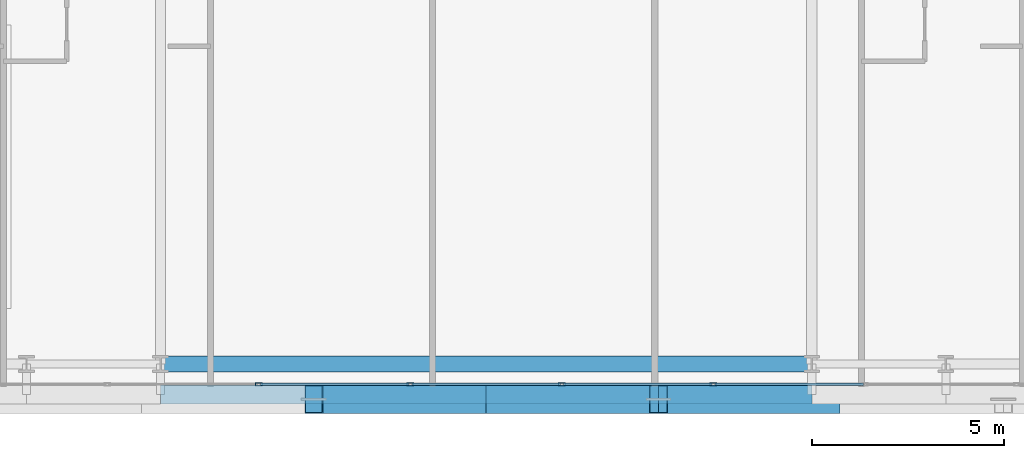
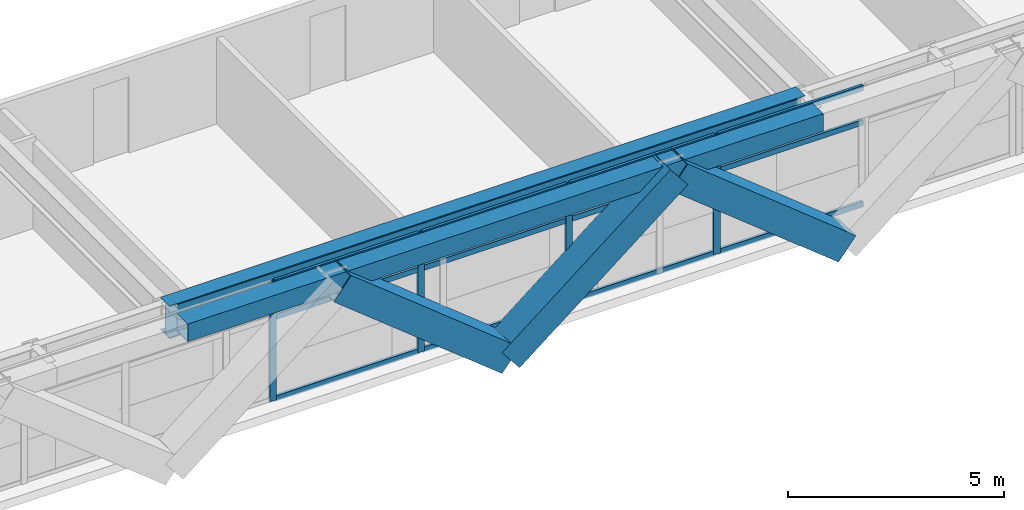
# One storey, part 5 of 35: 19 members, 2 beams, 1 element without a shape of its own.
"""IFC4 building model written with IfcOpenShell, lengths in metres."""

from ifc_helpers import new_model, si_unit, direction, frame, origin, origin_2d, place, context, subcontext, project, spatial, hollow_rectangle, i_section, extrude, source, transform, mapped, material, layer, layer_set, material_profile, profile_set, type_object, element, aggregate, save


model = new_model("IFC4")

# Units and contexts
model_context = context("Model", 3, precision=1e-05, world=origin(), true_north=direction((0.0, 1.0)))
body_context = subcontext(model_context, "Body", "Model", "MODEL_VIEW")
ifc_project = project(units=[si_unit("LENGTHUNIT", "METRE"), si_unit("AREAUNIT", "SQUARE_METRE"), si_unit("VOLUMEUNIT", "CUBIC_METRE"), si_unit("PLANEANGLEUNIT", "RADIAN"), si_unit("MASSUNIT", "GRAM", prefix="KILO")], contexts=[model_context])

# Site, building, storey
site_placement = place(None, origin())
site = spatial("IfcSite", under=ifc_project, at=site_placement, CompositionType="ELEMENT")
building_placement = place(site_placement, origin())
building = spatial("IfcBuilding", under=site, at=building_placement, Name="Ocotamira Hotel", CompositionType="ELEMENT")
storey_placement = place(building_placement, frame((0.0, 0.0, 118.800048828125)))
storey = spatial("IfcBuildingStorey", under=building, at=storey_placement, Name="L29", CompositionType="ELEMENT", Elevation=118.800048828125)

# Beams
ifc_material_1 = material(Name="Steel ASTM A992 Grade 50", Category="steel")
ifc_material_profile_1 = material_profile(ifc_material_1, i_section(OverallWidth=0.41796875, OverallDepth=0.927001953125, WebThickness=0.019287109375, FlangeThickness=0.031982421875, FilletRadius=0.02392578125, at=origin_2d()), Name="W36X231")
ifc_profile_set_1 = profile_set([ifc_material_profile_1], Name="Steel ASTM A992 Grade 50")
beam_type_1 = type_object("IfcBeamType", Name="BM-GIRD-W36X231", PredefinedType="BEAM", material=ifc_profile_set_1)
shared_shape_1 = source(origin(), body_context, "Body", "SweptSolid", [
    extrude(i_section(OverallWidth=0.41796875, OverallDepth=0.927001953125, WebThickness=0.019287109375, FlangeThickness=0.031982421875, FilletRadius=0.02392578125, at=origin_2d()), origin(), (0.0, 0.0, 1.0), 17.0),
])
beam_1_placement = place(storey_placement, frame((23.5, 2.949951171875, 2.896484375), z_axis=(1.0, 0.0, 0.0), x_axis=(0.0, 1.0, 0.0)))
element("IfcBeam", 1, at=beam_1_placement, inside=storey, type_object=beam_type_1, Name="L29 Girder Y2.95 X23.5-40.5", PredefinedType="BEAM", context=body_context, shape_type="MappedRepresentation", body=[
    mapped(shared_shape_1, transform((0.0, 0.0, 0.0), scale=1.0)),
])
ifc_material_2 = material(Name="Steel ASTM A500 Grade C", Category="steel")
ifc_material_profile_2 = material_profile(ifc_material_2, hollow_rectangle(XDim=0.5, YDim=0.5, WallThickness=0.02001953125, at=origin_2d()), Name="HSS500X500X20")
ifc_profile_set_2 = profile_set([ifc_material_profile_2], Name="Steel ASTM A500 Grade C")
beam_type_2 = type_object("IfcBeamType", Name="BM-SPAN-HSS500", PredefinedType="USERDEFINED", material=ifc_profile_set_2)
shared_shape_2 = source(origin(), body_context, "Body", "SweptSolid", [
    extrude(hollow_rectangle(XDim=0.5, YDim=0.5, WallThickness=0.02001953125, at=origin_2d()), origin(), (0.0, 0.0, 1.0), 17.0),
])
beam_2_placement = place(storey_placement, frame((23.5, 2.14990234375, 3.10986328125), z_axis=(1.0, 0.0, 0.0), x_axis=(0.0, 1.0, 0.0)))
element("IfcBeam", 2, at=beam_2_placement, inside=storey, type_object=beam_type_2, Name="L29 Edge Spandrel S X23.5-40.5", ObjectType="SPANDREL", PredefinedType="USERDEFINED", context=body_context, shape_type="MappedRepresentation", body=[
    mapped(shared_shape_2, transform((0.0, 0.0, 0.0), scale=1.0)),
])

# Members
ifc_material_3 = material(Name="Pale-metal coated steel ASTM A913 Grade 65", Category="steel")
ifc_material_profile_3 = material_profile(ifc_material_3, hollow_rectangle(XDim=0.75, YDim=0.75, WallThickness=0.028076171875, at=origin_2d()), Name="BOX750X750X28")
ifc_profile_set_3 = profile_set([ifc_material_profile_3], Name="Pale-metal coated steel ASTM A913 Grade 65")
member_type_1 = type_object("IfcMemberType", Name="MEM-EXO-BOX750", PredefinedType="BRACE", material=ifc_profile_set_3)
shared_shape_3 = source(origin(), body_context, "Body", "SweptSolid", [
    extrude(hollow_rectangle(XDim=0.75, YDim=0.75, WallThickness=0.028076171875, at=origin_2d()), origin(), (0.0, 0.0, 1.0), 5.7626953125),
])
for number, where, z_axis, x_axis, name in (
    (3, (32.0, 2.030029296875, -0.489990234375), (-0.780881208953, 0.0, 0.624679547852), (0.0, -1.0, 0.0), "L29 Exoskeleton Diagrid S1.2"),
    (4, (32.0, 2.030029296875, -0.489990234375), (0.780881208953, 0.0, 0.624679547852), (0.0, 1.0, 0.0), "L29 Exoskeleton Diagrid S2.1"),
    (5, (41.0, 2.030029296875, -0.489990234375), (-0.780881208953, 0.0, 0.624679547852), (0.0, -1.0, 0.0), "L29 Exoskeleton Diagrid S2.2"),
):
    element("IfcMember", number, at=place(storey_placement, frame(where, z_axis=z_axis, x_axis=x_axis)), inside=storey, type_object=member_type_1, Name=name, PredefinedType="BRACE", context=body_context, shape_type="MappedRepresentation", body=[
        mapped(shared_shape_3, transform((0.0, 0.0, 0.0), scale=1.0)),
    ])

# Curtain wall, members
ifc_material_4 = material(Name="Anodised pale-metal aluminium and solar glass", Category="aluminium")
ifc_layer = layer(ifc_material_4, 0.179931640625)
ifc_layer_set = layer_set([ifc_layer], Name="Anodised pale-metal aluminium and solar glass")
curtain_wall_type = type_object("IfcCurtainWallType", Name="CW-SYS3-Z2", PredefinedType="NOTDEFINED", material=ifc_layer_set)
curtain_wall_placement = place(storey_placement, origin())
curtain_wall = element("IfcCurtainWall", 6, at=curtain_wall_placement, inside=storey, type_object=curtain_wall_type, Name="L29 Curtain Wall CW-3 CW-L29-S1", PredefinedType="NOTDEFINED")
ifc_material_5 = material(Name="Anodised pale-metal aluminium 6063-T6", Category="aluminium")
ifc_material_profile_4 = material_profile(ifc_material_5, hollow_rectangle(XDim=0.074951171875, YDim=0.14990234375, WallThickness=0.006103515625, at=origin_2d()), Name="HSS150X75X6")
ifc_profile_set_4 = profile_set([ifc_material_profile_4], Name="Anodised pale-metal aluminium 6063-T6")
member_type_2 = type_object("IfcMemberType", Name="CWT-150X75", PredefinedType="USERDEFINED", material=ifc_profile_set_4)
shared_shape_4 = source(origin(), body_context, "Body", "SweptSolid", [
    extrude(hollow_rectangle(XDim=0.074951171875, YDim=0.14990234375, WallThickness=0.006103515625, at=origin_2d()), origin(), (0.0, 0.0, 1.0), 3.87548828125),
])
member_1_placement = place(storey_placement, frame((26.106689453125, 2.419921875, 0.037353515625), z_axis=(1.0, 0.0, 0.0), x_axis=(0.0, 1.0, 0.0)))
member_1 = element("IfcMember", 7, at=member_1_placement, type_object=member_type_2, Name="CW-3 transom 4.1", ObjectType="TRANSOM", PredefinedType="USERDEFINED", context=body_context, shape_type="MappedRepresentation", body=[
    mapped(shared_shape_4, transform((0.0, 0.0, 0.0), scale=1.0)),
])
member_2_placement = place(storey_placement, frame((26.106689453125, 2.419921875, 2.349853515625), z_axis=(1.0, 0.0, 0.0), x_axis=(0.0, 1.0, 0.0)))
member_2 = element("IfcMember", 8, at=member_2_placement, type_object=member_type_2, Name="CW-3 transom 4.2", ObjectType="TRANSOM", PredefinedType="USERDEFINED", context=body_context, shape_type="MappedRepresentation", body=[
    mapped(shared_shape_4, transform((0.0, 0.0, 0.0), scale=1.0)),
])
member_3_placement = place(storey_placement, frame((26.106689453125, 2.419921875, 3.322509765625), z_axis=(1.0, 0.0, 0.0), x_axis=(0.0, 1.0, 0.0)))
member_3 = element("IfcMember", 9, at=member_3_placement, type_object=member_type_2, Name="CW-3 transom 4.3", ObjectType="TRANSOM", PredefinedType="USERDEFINED", context=body_context, shape_type="MappedRepresentation", body=[
    mapped(shared_shape_4, transform((0.0, 0.0, 0.0), scale=1.0)),
])
member_4_placement = place(storey_placement, frame((30.062255859375, 2.419921875, 0.037353515625), z_axis=(1.0, 0.0, 0.0), x_axis=(0.0, 1.0, 0.0)))
member_4 = element("IfcMember", 10, at=member_4_placement, type_object=member_type_2, Name="CW-3 transom 5.1", ObjectType="TRANSOM", PredefinedType="USERDEFINED", context=body_context, shape_type="MappedRepresentation", body=[
    mapped(shared_shape_4, transform((0.0, 0.0, 0.0), scale=1.0)),
])
member_5_placement = place(storey_placement, frame((30.062255859375, 2.419921875, 2.349853515625), z_axis=(1.0, 0.0, 0.0), x_axis=(0.0, 1.0, 0.0)))
member_5 = element("IfcMember", 11, at=member_5_placement, type_object=member_type_2, Name="CW-3 transom 5.2", ObjectType="TRANSOM", PredefinedType="USERDEFINED", context=body_context, shape_type="MappedRepresentation", body=[
    mapped(shared_shape_4, transform((0.0, 0.0, 0.0), scale=1.0)),
])
member_6_placement = place(storey_placement, frame((30.062255859375, 2.419921875, 3.322509765625), z_axis=(1.0, 0.0, 0.0), x_axis=(0.0, 1.0, 0.0)))
member_6 = element("IfcMember", 12, at=member_6_placement, type_object=member_type_2, Name="CW-3 transom 5.3", ObjectType="TRANSOM", PredefinedType="USERDEFINED", context=body_context, shape_type="MappedRepresentation", body=[
    mapped(shared_shape_4, transform((0.0, 0.0, 0.0), scale=1.0)),
])
member_7_placement = place(storey_placement, frame((34.017822265625, 2.419921875, 0.037353515625), z_axis=(1.0, 0.0, 0.0), x_axis=(0.0, 1.0, 0.0)))
member_7 = element("IfcMember", 13, at=member_7_placement, type_object=member_type_2, Name="CW-3 transom 6.1", ObjectType="TRANSOM", PredefinedType="USERDEFINED", context=body_context, shape_type="MappedRepresentation", body=[
    mapped(shared_shape_4, transform((0.0, 0.0, 0.0), scale=1.0)),
])
member_8_placement = place(storey_placement, frame((34.017822265625, 2.419921875, 2.349853515625), z_axis=(1.0, 0.0, 0.0), x_axis=(0.0, 1.0, 0.0)))
member_8 = element("IfcMember", 14, at=member_8_placement, type_object=member_type_2, Name="CW-3 transom 6.2", ObjectType="TRANSOM", PredefinedType="USERDEFINED", context=body_context, shape_type="MappedRepresentation", body=[
    mapped(shared_shape_4, transform((0.0, 0.0, 0.0), scale=1.0)),
])
member_9_placement = place(storey_placement, frame((34.017822265625, 2.419921875, 3.322509765625), z_axis=(1.0, 0.0, 0.0), x_axis=(0.0, 1.0, 0.0)))
member_9 = element("IfcMember", 15, at=member_9_placement, type_object=member_type_2, Name="CW-3 transom 6.3", ObjectType="TRANSOM", PredefinedType="USERDEFINED", context=body_context, shape_type="MappedRepresentation", body=[
    mapped(shared_shape_4, transform((0.0, 0.0, 0.0), scale=1.0)),
])
member_10_placement = place(storey_placement, frame((37.973388671875, 2.419921875, 0.037353515625), z_axis=(1.0, 0.0, 0.0), x_axis=(0.0, 1.0, 0.0)))
member_10 = element("IfcMember", 16, at=member_10_placement, type_object=member_type_2, Name="CW-3 transom 7.1", ObjectType="TRANSOM", PredefinedType="USERDEFINED", context=body_context, shape_type="MappedRepresentation", body=[
    mapped(shared_shape_4, transform((0.0, 0.0, 0.0), scale=1.0)),
])
member_11_placement = place(storey_placement, frame((37.973388671875, 2.419921875, 2.349853515625), z_axis=(1.0, 0.0, 0.0), x_axis=(0.0, 1.0, 0.0)))
member_11 = element("IfcMember", 17, at=member_11_placement, type_object=member_type_2, Name="CW-3 transom 7.2", ObjectType="TRANSOM", PredefinedType="USERDEFINED", context=body_context, shape_type="MappedRepresentation", body=[
    mapped(shared_shape_4, transform((0.0, 0.0, 0.0), scale=1.0)),
])
member_12_placement = place(storey_placement, frame((37.973388671875, 2.419921875, 3.322509765625), z_axis=(1.0, 0.0, 0.0), x_axis=(0.0, 1.0, 0.0)))
member_12 = element("IfcMember", 18, at=member_12_placement, type_object=member_type_2, Name="CW-3 transom 7.3", ObjectType="TRANSOM", PredefinedType="USERDEFINED", context=body_context, shape_type="MappedRepresentation", body=[
    mapped(shared_shape_4, transform((0.0, 0.0, 0.0), scale=1.0)),
])
ifc_material_profile_5 = material_profile(ifc_material_5, hollow_rectangle(XDim=0.080078125, YDim=0.179931640625, WallThickness=0.006103515625, at=origin_2d()), Name="HSS180X80X6")
ifc_profile_set_5 = profile_set([ifc_material_profile_5], Name="Anodised pale-metal aluminium 6063-T6")
member_type_3 = type_object("IfcMemberType", Name="CWM-180X75", PredefinedType="MULLION", material=ifc_profile_set_5)
shared_shape_5 = source(origin(), body_context, "Body", "SweptSolid", [
    extrude(hollow_rectangle(XDim=0.080078125, YDim=0.179931640625, WallThickness=0.006103515625, at=origin_2d()), origin(), (0.0, 0.0, 1.0), 3.35986328125),
])
member_13_placement = place(storey_placement, frame((26.066650390625, 2.419921875, 0.0), z_axis=(0.0, 0.0, 1.0), x_axis=(0.0, 1.0, 0.0)))
member_13 = element("IfcMember", 19, at=member_13_placement, type_object=member_type_3, Name="CW-3 mullion 4", PredefinedType="MULLION", context=body_context, shape_type="MappedRepresentation", body=[
    mapped(shared_shape_5, transform((0.0, 0.0, 0.0), scale=1.0)),
])
member_14_placement = place(storey_placement, frame((30.022216796875, 2.419921875, 0.0), z_axis=(0.0, 0.0, 1.0), x_axis=(0.0, 1.0, 0.0)))
member_14 = element("IfcMember", 20, at=member_14_placement, type_object=member_type_3, Name="CW-3 mullion 5", PredefinedType="MULLION", context=body_context, shape_type="MappedRepresentation", body=[
    mapped(shared_shape_5, transform((0.0, 0.0, 0.0), scale=1.0)),
])
member_15_placement = place(storey_placement, frame((33.977783203125, 2.419921875, 0.0), z_axis=(0.0, 0.0, 1.0), x_axis=(0.0, 1.0, 0.0)))
member_15 = element("IfcMember", 21, at=member_15_placement, type_object=member_type_3, Name="CW-3 mullion 6", PredefinedType="MULLION", context=body_context, shape_type="MappedRepresentation", body=[
    mapped(shared_shape_5, transform((0.0, 0.0, 0.0), scale=1.0)),
])
member_16_placement = place(storey_placement, frame((37.933349609375, 2.419921875, 0.0), z_axis=(0.0, 0.0, 1.0), x_axis=(0.0, 1.0, 0.0)))
member_16 = element("IfcMember", 22, at=member_16_placement, type_object=member_type_3, Name="CW-3 mullion 7", PredefinedType="MULLION", context=body_context, shape_type="MappedRepresentation", body=[
    mapped(shared_shape_5, transform((0.0, 0.0, 0.0), scale=1.0)),
])
aggregate(curtain_wall, [member_13, member_14, member_15, member_16, member_1, member_2, member_3, member_4, member_5, member_6, member_7, member_8, member_9, member_10, member_11, member_12])

save(model, "model.ifc")
